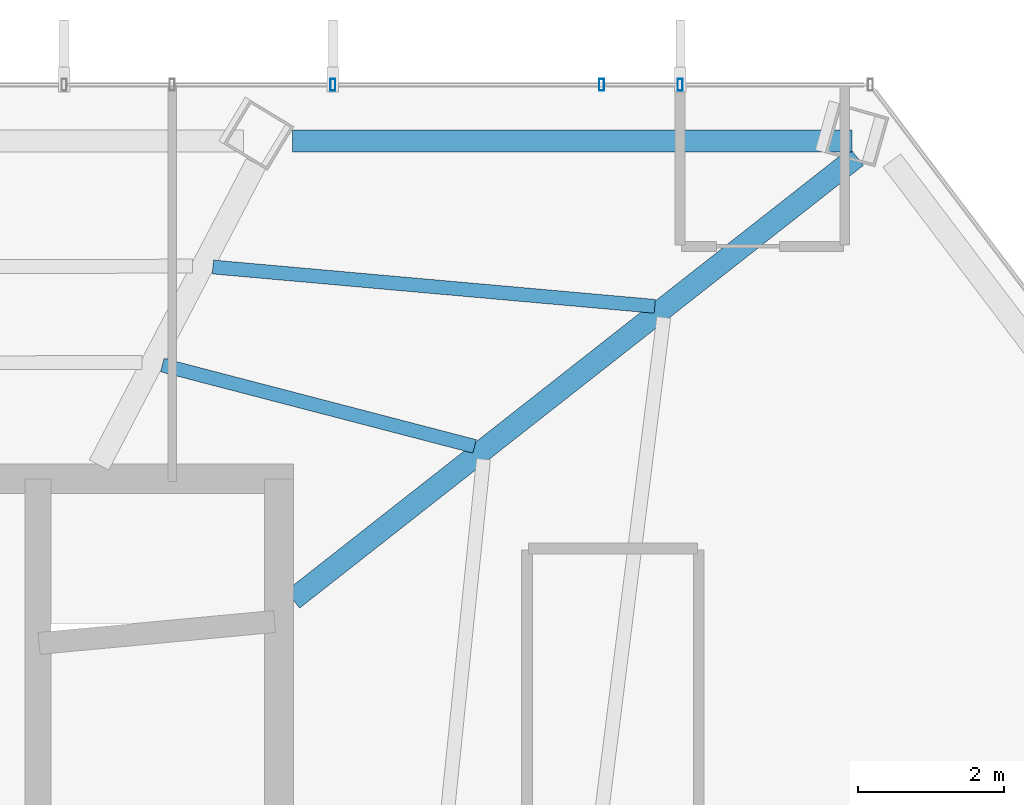
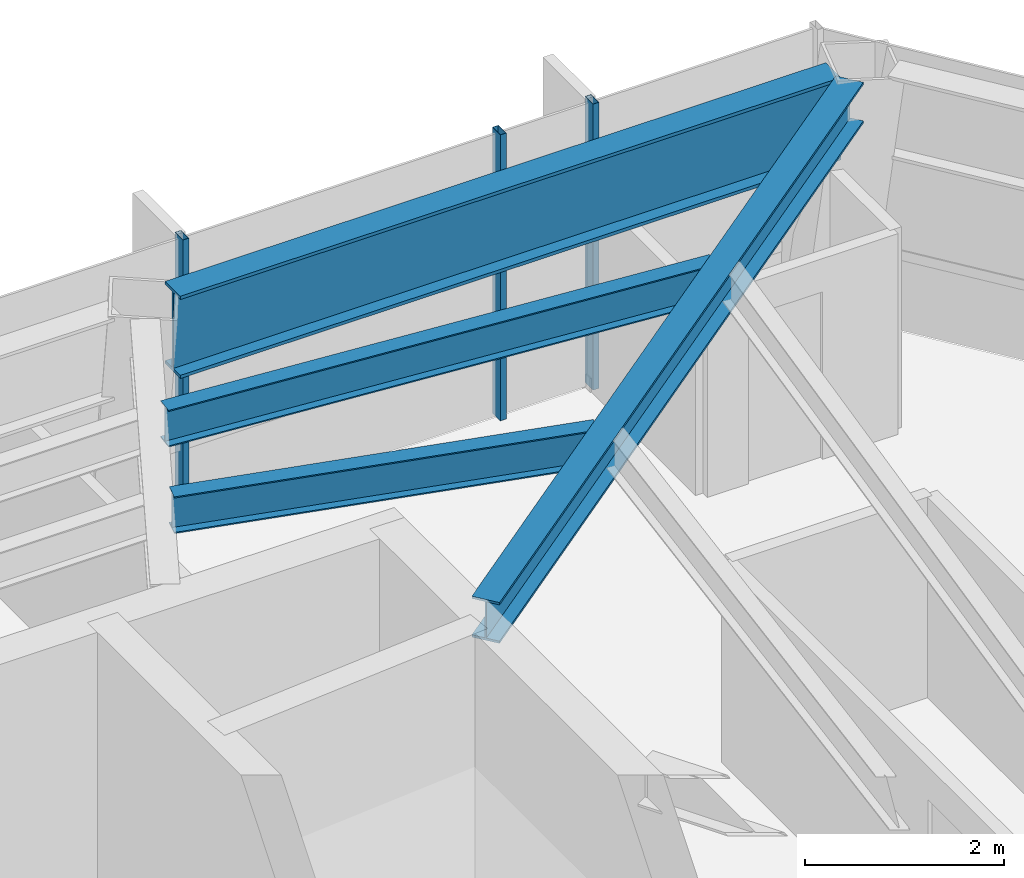
# One storey, part 21 of 27: 4 beams, 3 members, 1 element without a shape of its own.
"""IFC4 building model written with IfcOpenShell, lengths in metres."""

from ifc_helpers import new_model, si_unit, direction, frame, origin, origin_2d, place, context, subcontext, project, spatial, hollow_rectangle, i_section, extrude, material, layer, layer_set, material_profile, profile_set, type_object, element, aggregate, save


model = new_model("IFC4")

# Units and contexts
model_context = context("Model", 3, precision=1e-05, world=origin(), true_north=direction((0.0, 1.0)))
body_context = subcontext(model_context, "Body", "Model", "MODEL_VIEW")
ifc_project = project(units=[si_unit("LENGTHUNIT", "METRE"), si_unit("AREAUNIT", "SQUARE_METRE"), si_unit("VOLUMEUNIT", "CUBIC_METRE"), si_unit("PLANEANGLEUNIT", "RADIAN"), si_unit("MASSUNIT", "GRAM", prefix="KILO")], contexts=[model_context])

# Site, building, storey
site_placement = place(None, origin())
site = spatial("IfcSite", under=ifc_project, at=site_placement, CompositionType="ELEMENT")
building_placement = place(site_placement, origin())
building = spatial("IfcBuilding", under=site, at=building_placement, Name="Zarrinselat Tower", CompositionType="ELEMENT")
storey_placement = place(building_placement, frame((0.0, 0.0, 172.0400390625)))
storey = spatial("IfcBuildingStorey", under=building, at=storey_placement, Name="L42", CompositionType="ELEMENT", Elevation=172.0400390625)

# Beams
ifc_material_1 = material(Name="Steel S355J2", Category="steel")
ifc_material_profile_1 = material_profile(ifc_material_1, i_section(OverallWidth=0.300048828125, OverallDepth=0.5, WebThickness=0.014404296875, FlangeThickness=0.028076171875, at=origin_2d()), Name="HEB 500")
ifc_profile_set_1 = profile_set([ifc_material_profile_1], Name="Steel S355J2")
beam_type_1 = type_object("IfcBeamType", Name="BM-HEB500", PredefinedType="BEAM", material=ifc_profile_set_1)
beam_1_placement = place(storey_placement, frame((48.449951171875, 41.800048828125, 3.25), z_axis=(0.786435862655, 0.617671946854, 0.0), x_axis=(-0.617671946854, 0.786435862655, 0.0)))
element("IfcBeam", 1, at=beam_1_placement, inside=storey, type_object=beam_type_1, Name="L42 Radial Primary Girder RG01", PredefinedType="BEAM", context=body_context, shape_type="SweptSolid", body=[
    extrude(i_section(OverallWidth=0.300048828125, OverallDepth=0.5, WebThickness=0.014404296875, FlangeThickness=0.028076171875, at=origin_2d()), origin(), (0.0, 0.0, 1.0), 9.802490234375),
])
ifc_material_2 = material(Name="Steel S460M", Category="steel")
ifc_material_profile_2 = material_profile(ifc_material_2, i_section(OverallWidth=0.302001953125, OverallDepth=1.008056640625, WebThickness=0.02099609375, FlangeThickness=0.0400390625, at=origin_2d()), Name="HEM 1000")
ifc_profile_set_2 = profile_set([ifc_material_profile_2], Name="Steel S460M")
beam_type_2 = type_object("IfcBeamType", Name="BM-HEM1000", PredefinedType="BEAM", material=ifc_profile_set_2)
beam_2_placement = place(storey_placement, frame((48.447998046875, 48.072265625, 2.995849609375), z_axis=(1.0, 0.0, 0.0), x_axis=(0.0, 1.0, 0.0)))
element("IfcBeam", 2, at=beam_2_placement, inside=storey, type_object=beam_type_2, Name="L42 Perimeter Spandrel Girder SP01", PredefinedType="BEAM", context=body_context, shape_type="SweptSolid", body=[
    extrude(i_section(OverallWidth=0.302001953125, OverallDepth=1.008056640625, WebThickness=0.02099609375, FlangeThickness=0.0400390625, at=origin_2d()), origin(), (0.0, 0.0, 1.0), 7.64990234375),
])
ifc_material_3 = material(Name="Steel S355J2", Category="steel")
ifc_material_profile_3 = material_profile(ifc_material_3, i_section(OverallWidth=0.18994140625, OverallDepth=0.449951171875, WebThickness=0.009521484375, FlangeThickness=0.0146484375, at=origin_2d()), Name="IPE 450")
ifc_profile_set_3 = profile_set([ifc_material_profile_3], Name="Steel S355J2")
beam_type_3 = type_object("IfcBeamType", Name="BM-IPE450", PredefinedType="JOIST", material=ifc_profile_set_3)
beam_3_placement = place(storey_placement, frame((47.356689453125, 46.3466796875, 3.27490234375), z_axis=(0.996057480744, -0.088710174468, 0.0), x_axis=(0.088710174468, 0.996057480744, 0.0)))
element("IfcBeam", 3, at=beam_3_placement, inside=storey, type_object=beam_type_3, Name="L42 Composite Floor Joist 6-1", PredefinedType="JOIST", context=body_context, shape_type="SweptSolid", body=[
    extrude(i_section(OverallWidth=0.18994140625, OverallDepth=0.449951171875, WebThickness=0.009521484375, FlangeThickness=0.0146484375, at=origin_2d()), origin(), (0.0, 0.0, 1.0), 6.065673828125),
])
beam_4_placement = place(storey_placement, frame((46.66552734375, 45.005615234375, 3.27490234375), z_axis=(0.967733510936, -0.2519758953, 0.0), x_axis=(0.2519758953, 0.967733510936, 0.0)))
element("IfcBeam", 4, at=beam_4_placement, inside=storey, type_object=beam_type_3, Name="L42 Composite Floor Joist 6-2", PredefinedType="JOIST", context=body_context, shape_type="SweptSolid", body=[
    extrude(i_section(OverallWidth=0.18994140625, OverallDepth=0.449951171875, WebThickness=0.009521484375, FlangeThickness=0.0146484375, at=origin_2d()), origin(), (0.0, 0.0, 1.0), 4.412353515625),
])

# Curtain wall, members
ifc_material_4 = material(Name="Extruded Aluminium Alloy EN AW-6063 T6", Category="aluminium")
ifc_layer = layer(ifc_material_4, 0.175048828125)
ifc_layer_set = layer_set([ifc_layer], Name="Extruded Aluminium Alloy EN AW-6063 T6")
curtain_wall_type = type_object("IfcCurtainWallType", Name="CWS-HTL", PredefinedType="NOTDEFINED", material=ifc_layer_set)
curtain_wall_placement = place(storey_placement, origin())
curtain_wall = element("IfcCurtainWall", 5, at=curtain_wall_placement, inside=storey, type_object=curtain_wall_type, Name="L42 Unitised Curtain Wall CW-L42-E01", PredefinedType="NOTDEFINED")
ifc_material_5 = material(Name="Extruded Aluminium Alloy EN AW-6063 T6", Category="aluminium")
ifc_material_profile_4 = material_profile(ifc_material_5, hollow_rectangle(XDim=0.070068359375, YDim=0.159912109375, WallThickness=0.00390625, at=origin_2d()), Name="RHS 160x70x4")
ifc_profile_set_4 = profile_set([ifc_material_profile_4], Name="Extruded Aluminium Alloy EN AW-6063 T6")
member_type = type_object("IfcMemberType", Name="MEM-CW-MUL2", PredefinedType="MULLION", material=ifc_profile_set_4)
member_1_placement = place(storey_placement, frame((53.74609375, 48.8388671875, 0.0), z_axis=(0.0, 0.0, 1.0), x_axis=(-1.0, 0.0, 0.0)))
member_1 = element("IfcMember", 6, at=member_1_placement, type_object=member_type, Name="CW-L42-E01 Mullion 1", PredefinedType="MULLION", context=body_context, shape_type="SweptSolid", body=[
    extrude(hollow_rectangle(XDim=0.070068359375, YDim=0.159912109375, WallThickness=0.00390625, at=origin_2d()), origin(), (0.0, 0.0, 1.0), 3.5),
])
member_2_placement = place(storey_placement, frame((52.672119140625, 48.8388671875, 0.0), z_axis=(0.0, 0.0, 1.0), x_axis=(-1.0, 0.0, 0.0)))
member_2 = element("IfcMember", 7, at=member_2_placement, type_object=member_type, Name="CW-L42-E01 Mullion 2", PredefinedType="MULLION", context=body_context, shape_type="SweptSolid", body=[
    extrude(hollow_rectangle(XDim=0.070068359375, YDim=0.159912109375, WallThickness=0.00390625, at=origin_2d()), origin(), (0.0, 0.0, 1.0), 3.5),
])
member_3_placement = place(storey_placement, frame((48.99755859375, 48.8388671875, 0.0), z_axis=(0.0, 0.0, 1.0), x_axis=(-1.0, 0.0, 0.0)))
member_3 = element("IfcMember", 8, at=member_3_placement, type_object=member_type, Name="CW-L42-E01 Mullion 3", PredefinedType="MULLION", context=body_context, shape_type="SweptSolid", body=[
    extrude(hollow_rectangle(XDim=0.070068359375, YDim=0.159912109375, WallThickness=0.00390625, at=origin_2d()), origin(), (0.0, 0.0, 1.0), 3.5),
])
aggregate(curtain_wall, [member_1, member_2, member_3])

save(model, "model.ifc")
